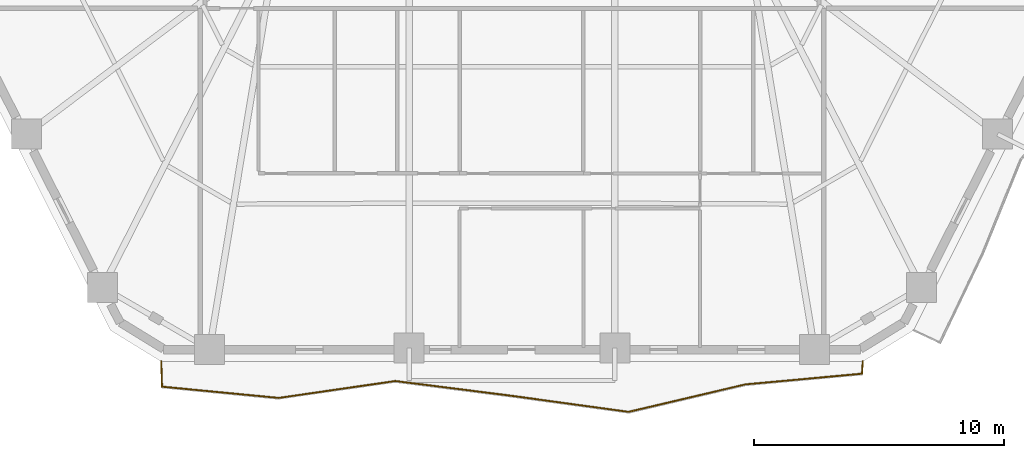
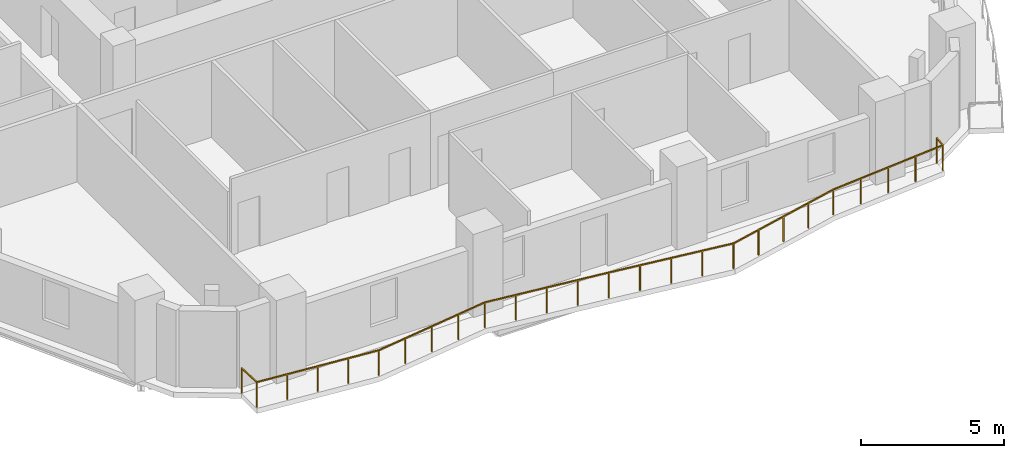
# One storey, part 9 of 12: 1 railing.
"""IFC4 building model written with IfcOpenShell, lengths in metres."""

from ifc_helpers import new_model, si_unit, direction, frame, origin, origin_2d, place, context, subcontext, project, spatial, rectangle, extrude, material, type_object, element, save


model = new_model("IFC4")

# Units and contexts
model_context = context("Model", 3, precision=1e-05, world=origin(), true_north=direction((0.0, 1.0)))
body_context = subcontext(model_context, "Body", "Model", "MODEL_VIEW")
ifc_project = project(units=[si_unit("LENGTHUNIT", "METRE"), si_unit("AREAUNIT", "SQUARE_METRE"), si_unit("VOLUMEUNIT", "CUBIC_METRE"), si_unit("PLANEANGLEUNIT", "RADIAN"), si_unit("MASSUNIT", "GRAM", prefix="KILO")], contexts=[model_context])

# Site, building, storey
site_placement = place(None, origin())
site = spatial("IfcSite", under=ifc_project, at=site_placement, CompositionType="ELEMENT")
building_placement = place(site_placement, origin())
building = spatial("IfcBuilding", under=site, at=building_placement, Name="Cinnabar Lancet Tower", CompositionType="ELEMENT")
storey_placement = place(building_placement, frame((0.0, 0.0, 71.050048828125)))
storey = spatial("IfcBuildingStorey", under=building, at=storey_placement, Name="L18", CompositionType="ELEMENT", Elevation=71.050048828125)

# Railing
ifc_material = material(Name="Laminated safety glass and bronze stainless steel balustrade", Category="steel")
railing_type = type_object("IfcRailingType", Name="ENV-RLG-BAL-1100", PredefinedType="BALUSTRADE", material=ifc_material)
railing_placement = place(storey_placement, frame((18.343994140625, 1.800048828125, 0.0)))
element("IfcRailing", 1, at=railing_placement, inside=storey, type_object=railing_type, Name="L18 Face 1 Wave Balcony Balustrade", PredefinedType="BALUSTRADE", context=body_context, shape_type="SweptSolid", body=[
    extrude(rectangle(XDim=0.048095703125, YDim=0.048095703125, at=origin_2d()), frame((0.0, 0.0, 1.076171875), z_axis=(0.033645266033, -0.999433837767, 0.0), x_axis=(0.999433837767, 0.033645266033, 0.0)), (0.0, 0.0, 1.0), 1.008544921875),
    extrude(rectangle(XDim=0.048095703125, YDim=0.048095703125, at=origin_2d()), frame((0.033935546875, -1.008056640625, 1.076171875), z_axis=(0.995380508933, -0.096008553971, 0.0), x_axis=(0.096008553971, 0.995380508933, 0.0)), (0.0, 0.0, 1.0), 4.69677734375),
    extrude(rectangle(XDim=0.048095703125, YDim=0.048095703125, at=origin_2d()), frame((4.708984375, -1.458984375, 1.076171875), z_axis=(0.989676859847, 0.143316827634, 0.0), x_axis=(-0.143316827634, 0.989676859847, 0.0)), (0.0, 0.0, 1.0), 4.723876953125),
    extrude(rectangle(XDim=0.048095703125, YDim=0.048095703125, at=origin_2d()), frame((9.384033203125, -0.781982421875, 1.076171875), z_axis=(0.992014076243, -0.12612720775, 0.0), x_axis=(0.12612720775, 0.992014076243, 0.0)), (0.0, 0.0, 1.0), 4.70947265625),
    extrude(rectangle(XDim=0.048095703125, YDim=0.048095703125, at=origin_2d()), frame((14.055908203125, -1.3759765625, 1.076171875), z_axis=(0.990692018668, -0.136122460117, 0.0), x_axis=(0.136122460117, 0.990692018668, 0.0)), (0.0, 0.0, 1.0), 4.717041015625),
    extrude(rectangle(XDim=0.048095703125, YDim=0.048095703125, at=origin_2d()), frame((18.72900390625, -2.01806640625, 1.076171875), z_axis=(0.973346430202, 0.229339762824, 0.0), x_axis=(-0.229339762824, 0.973346430202, 0.0)), (0.0, 0.0, 1.0), 4.801025390625),
    extrude(rectangle(XDim=0.048095703125, YDim=0.048095703125, at=origin_2d()), frame((23.402099609375, -0.9169921875, 1.076171875), z_axis=(0.995835456229, 0.091168767222, 0.0), x_axis=(-0.091168767222, 0.995835456229, 0.0)), (0.0, 0.0, 1.0), 4.6943359375),
    extrude(rectangle(XDim=0.048095703125, YDim=0.048095703125, at=origin_2d()), frame((28.076904296875, -0.489013671875, 1.076171875), z_axis=(0.071707092141, 0.997425733043, 0.0), x_axis=(-0.997425733043, 0.071707092141, 0.0)), (0.0, 0.0, 1.0), 0.490234375),
    extrude(rectangle(XDim=0.0419921875, YDim=0.0419921875, at=origin_2d()), origin(), (0.0, 0.0, 1.0), 1.052001953125),
    extrude(rectangle(XDim=0.0419921875, YDim=0.0419921875, at=origin_2d()), frame((0.033935546875, -1.008056640625, 0.0)), (0.0, 0.0, 1.0), 1.052001953125),
    extrude(rectangle(XDim=0.0419921875, YDim=0.0419921875, at=origin_2d()), frame((1.20263671875, -1.120849609375, 0.0)), (0.0, 0.0, 1.0), 1.052001953125),
    extrude(rectangle(XDim=0.0419921875, YDim=0.0419921875, at=origin_2d()), frame((2.37158203125, -1.2333984375, 0.0)), (0.0, 0.0, 1.0), 1.052001953125),
    extrude(rectangle(XDim=0.0419921875, YDim=0.0419921875, at=origin_2d()), frame((3.540283203125, -1.34619140625, 0.0)), (0.0, 0.0, 1.0), 1.052001953125),
    extrude(rectangle(XDim=0.0419921875, YDim=0.0419921875, at=origin_2d()), frame((4.708984375, -1.458984375, 0.0)), (0.0, 0.0, 1.0), 1.052001953125),
    extrude(rectangle(XDim=0.0419921875, YDim=0.0419921875, at=origin_2d()), frame((5.877685546875, -1.289794921875, 0.0)), (0.0, 0.0, 1.0), 1.052001953125),
    extrude(rectangle(XDim=0.0419921875, YDim=0.0419921875, at=origin_2d()), frame((7.04638671875, -1.12060546875, 0.0)), (0.0, 0.0, 1.0), 1.052001953125),
    extrude(rectangle(XDim=0.0419921875, YDim=0.0419921875, at=origin_2d()), frame((8.21533203125, -0.951171875, 0.0)), (0.0, 0.0, 1.0), 1.052001953125),
    extrude(rectangle(XDim=0.0419921875, YDim=0.0419921875, at=origin_2d()), frame((9.384033203125, -0.781982421875, 0.0)), (0.0, 0.0, 1.0), 1.052001953125),
    extrude(rectangle(XDim=0.0419921875, YDim=0.0419921875, at=origin_2d()), frame((10.552001953125, -0.930419921875, 0.0)), (0.0, 0.0, 1.0), 1.052001953125),
    extrude(rectangle(XDim=0.0419921875, YDim=0.0419921875, at=origin_2d()), frame((11.719970703125, -1.0791015625, 0.0)), (0.0, 0.0, 1.0), 1.052001953125),
    extrude(rectangle(XDim=0.0419921875, YDim=0.0419921875, at=origin_2d()), frame((12.887939453125, -1.2275390625, 0.0)), (0.0, 0.0, 1.0), 1.052001953125),
    extrude(rectangle(XDim=0.0419921875, YDim=0.0419921875, at=origin_2d()), frame((14.055908203125, -1.3759765625, 0.0)), (0.0, 0.0, 1.0), 1.052001953125),
    extrude(rectangle(XDim=0.0419921875, YDim=0.0419921875, at=origin_2d()), frame((15.22412109375, -1.53662109375, 0.0)), (0.0, 0.0, 1.0), 1.052001953125),
    extrude(rectangle(XDim=0.0419921875, YDim=0.0419921875, at=origin_2d()), frame((16.392578125, -1.697021484375, 0.0)), (0.0, 0.0, 1.0), 1.052001953125),
    extrude(rectangle(XDim=0.0419921875, YDim=0.0419921875, at=origin_2d()), frame((17.560791015625, -1.857421875, 0.0)), (0.0, 0.0, 1.0), 1.052001953125),
    extrude(rectangle(XDim=0.0419921875, YDim=0.0419921875, at=origin_2d()), frame((18.72900390625, -2.01806640625, 0.0)), (0.0, 0.0, 1.0), 1.052001953125),
    extrude(rectangle(XDim=0.0419921875, YDim=0.0419921875, at=origin_2d()), frame((19.897216796875, -1.74267578125, 0.0)), (0.0, 0.0, 1.0), 1.052001953125),
    extrude(rectangle(XDim=0.0419921875, YDim=0.0419921875, at=origin_2d()), frame((21.0654296875, -1.467529296875, 0.0)), (0.0, 0.0, 1.0), 1.052001953125),
    extrude(rectangle(XDim=0.0419921875, YDim=0.0419921875, at=origin_2d()), frame((22.23388671875, -1.1923828125, 0.0)), (0.0, 0.0, 1.0), 1.052001953125),
    extrude(rectangle(XDim=0.0419921875, YDim=0.0419921875, at=origin_2d()), frame((23.402099609375, -0.9169921875, 0.0)), (0.0, 0.0, 1.0), 1.052001953125),
    extrude(rectangle(XDim=0.0419921875, YDim=0.0419921875, at=origin_2d()), frame((24.57080078125, -0.81005859375, 0.0)), (0.0, 0.0, 1.0), 1.052001953125),
    extrude(rectangle(XDim=0.0419921875, YDim=0.0419921875, at=origin_2d()), frame((25.739501953125, -0.703125, 0.0)), (0.0, 0.0, 1.0), 1.052001953125),
    extrude(rectangle(XDim=0.0419921875, YDim=0.0419921875, at=origin_2d()), frame((26.908203125, -0.595947265625, 0.0)), (0.0, 0.0, 1.0), 1.052001953125),
    extrude(rectangle(XDim=0.0419921875, YDim=0.0419921875, at=origin_2d()), frame((28.076904296875, -0.489013671875, 0.0)), (0.0, 0.0, 1.0), 1.052001953125),
    extrude(rectangle(XDim=0.0419921875, YDim=0.0419921875, at=origin_2d()), frame((28.112060546875, 0.0, 0.0)), (0.0, 0.0, 1.0), 1.052001953125),
])

save(model, "model.ifc")
